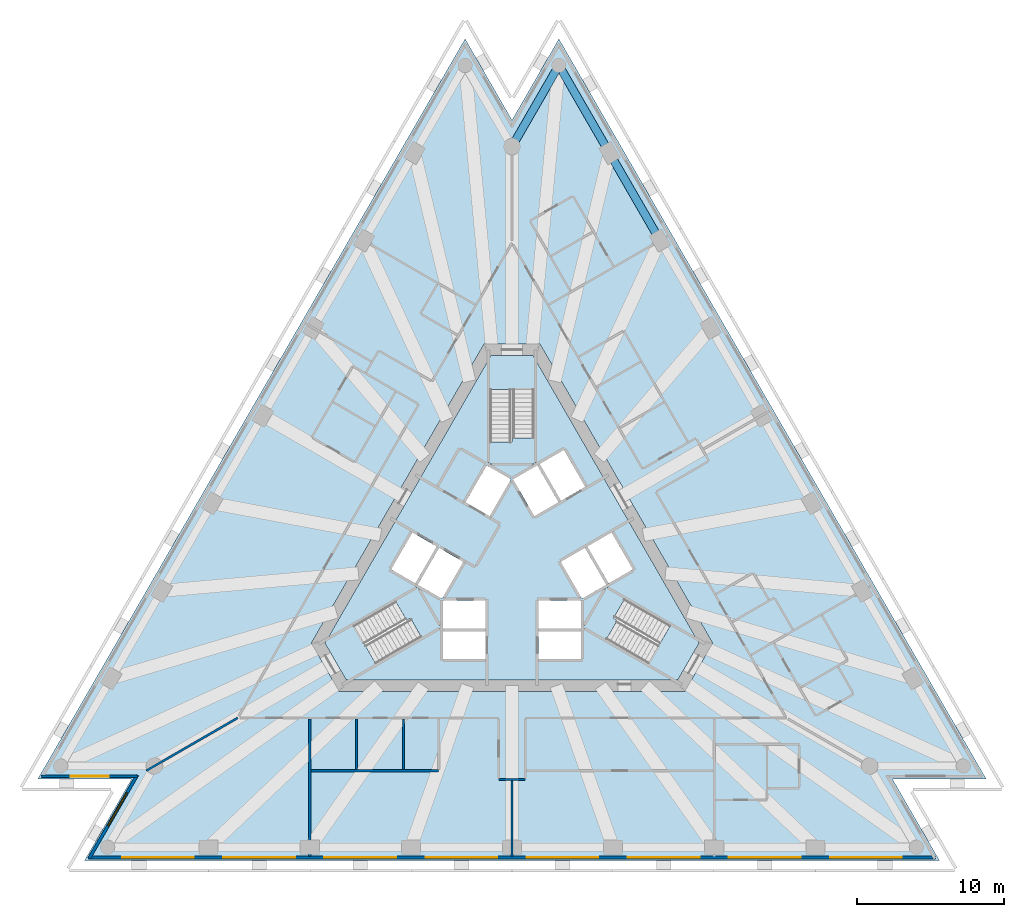
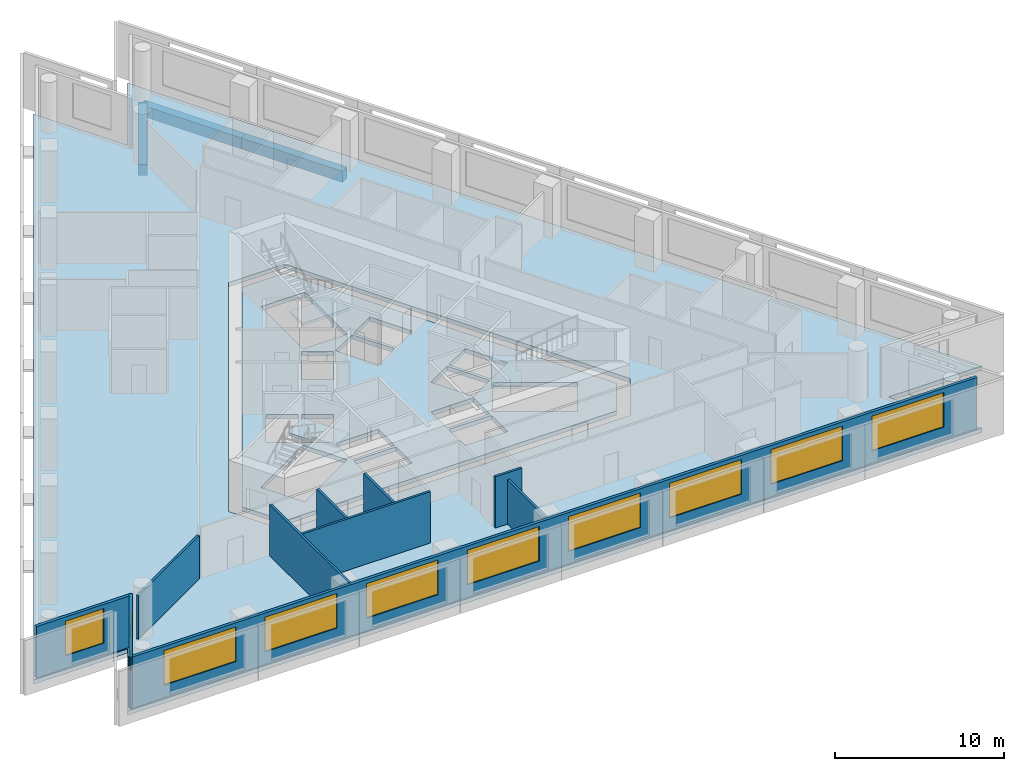
# One storey, part 2 of 10: 10 walls, 10 windows, 5 slabs, 3 beams, 10 openings, 3 elements without a shape of their own.
"""IFC4 building model written with IfcOpenShell, lengths in metres."""

from ifc_helpers import new_model, si_unit, direction, frame, frame_2d, origin, origin_2d, place, context, subcontext, project, spatial, polyline, rectangle, outline, extrude, material, layer, layer_set, layer_usage, material_profile, profile_set, type_object, element, fill, aggregate, save


model = new_model("IFC4")

# Units and contexts
model_context = context("Model", 3, precision=1e-05, world=origin(), true_north=direction((0.0, 1.0)))
body_context = subcontext(model_context, "Body", "Model", "MODEL_VIEW")
ifc_project = project(units=[si_unit("LENGTHUNIT", "METRE"), si_unit("AREAUNIT", "SQUARE_METRE"), si_unit("VOLUMEUNIT", "CUBIC_METRE"), si_unit("PLANEANGLEUNIT", "RADIAN"), si_unit("MASSUNIT", "GRAM", prefix="KILO")], contexts=[model_context])

# Site, building, storey
site_placement = place(None, origin())
site = spatial("IfcSite", under=ifc_project, at=site_placement, CompositionType="ELEMENT")
building_placement = place(site_placement, origin())
building = spatial("IfcBuilding", under=site, at=building_placement, Name="Triada Interchange Tower", CompositionType="ELEMENT")
storey_placement = place(building_placement, frame((0.0, 0.0, 124.300048828125)))
storey = spatial("IfcBuildingStorey", under=building, at=storey_placement, Name="L28", CompositionType="ELEMENT", Elevation=124.300048828125)

# Beams
ifc_material_1 = material(Name="Concrete C50/60", Category="concrete")
ifc_material_profile = material_profile(ifc_material_1, rectangle(XDim=0.550048828125, YDim=0.800048828125, at=origin_2d()), Name="RC 550x800")
ifc_profile_set = profile_set([ifc_material_profile], Name="Concrete C50/60")
beam_type = type_object("IfcBeamType", Name="Spandrel beam B RC 550x800", PredefinedType="BEAM", material=ifc_profile_set)
beam_1_placement = place(storey_placement, frame((10.096923828125, 21.760009765625, -0.699951171875), z_axis=(-0.500056430882, 0.865992820948, 0.0), x_axis=(-0.865992820948, -0.500056430882, 0.0)))
element("IfcBeam", 1, at=beam_1_placement, inside=storey, type_object=beam_type, Name="Spandrel beam EB27 L28", PredefinedType="BEAM", context=body_context, shape_type="SweptSolid", body=[
    extrude(rectangle(XDim=0.550048828125, YDim=0.800048828125, at=origin_2d()), origin(), (0.0, 0.0, 1.0), 6.897216796875),
])
beam_2_placement = place(storey_placement, frame((6.64794921875, 27.73291015625, -0.699951171875), z_axis=(-0.499979797689, 0.86603706728, 0.0), x_axis=(-0.86603706728, -0.499979797689, 0.0)))
element("IfcBeam", 2, at=beam_2_placement, inside=storey, type_object=beam_type, Name="Spandrel beam EB28 L28", PredefinedType="BEAM", context=body_context, shape_type="SweptSolid", body=[
    extrude(rectangle(XDim=0.550048828125, YDim=0.800048828125, at=origin_2d()), origin(), (0.0, 0.0, 1.0), 6.898193359375),
])
beam_3_placement = place(storey_placement, frame((3.198974609375, 33.70703125, -0.699951171875), z_axis=(-0.49991841402, -0.866072502348, 0.0), x_axis=(0.866072502348, -0.49991841402, 0.0)))
element("IfcBeam", 3, at=beam_3_placement, inside=storey, type_object=beam_type, Name="Spandrel beam EB29 L28", PredefinedType="BEAM", context=body_context, shape_type="SweptSolid", body=[
    extrude(rectangle(XDim=0.550048828125, YDim=0.800048828125, at=origin_2d()), origin(), (0.0, 0.0, 1.0), 6.39892578125),
])

# Slabs
ifc_layer_1 = layer(ifc_material_1, 0.300048828125)
ifc_layer_set_1 = layer_set([ifc_layer_1], Name="Floor slab 300")
slab_type_1 = type_object("IfcSlabType", Name="Floor slab 300", PredefinedType="FLOOR", material=ifc_layer_set_1)
slab_1_placement = place(storey_placement, frame((0.0, 0.0, -0.300048828125)))
element("IfcSlab", 4, at=slab_1_placement, inside=storey, type_object=slab_type_1, Name="Floor slab L28", PredefinedType="FLOOR", context=body_context, shape_type="SweptSolid", body=[
    extrude(outline(polyline([(-3.198974609375, 35.507080078125), (-32.34912109375, -14.98291015625), (-25.949951171875, -14.98291015625), (-29.14990234375, -20.52392578125), (29.14990234375, -20.52392578125), (25.949951171875, -14.98291015625), (32.34912109375, -14.98291015625), (3.198974609375, 35.507080078125), (0.0, 29.965087890625), (-3.198974609375, 35.507080078125)]), holes=[polyline([(1.905029296875, 14.699951171875), (-1.905029296875, 14.699951171875), (-13.68310546875, -5.699951171875), (-11.778076171875, -9.0), (11.778076171875, -9.0), (13.68310546875, -5.699951171875), (1.905029296875, 14.699951171875)])]), origin(), (0.0, 0.0, 1.0), 0.300048828125),
])
slab_2_placement = place(storey_placement, frame((0.0, 0.0, -0.300048828125)))
element("IfcSlab", 5, at=slab_2_placement, inside=storey, type_object=slab_type_1, Name="Core floor slab L28 1", PredefinedType="FLOOR", context=body_context, shape_type="SweptSolid", body=[
    extrude(outline(polyline([(12.759033203125, -5.699951171875), (11.31591796875, -8.199951171875), (-11.31591796875, -8.199951171875), (-12.759033203125, -5.699951171875), (-1.443115234375, 13.89990234375), (1.443115234375, 13.89990234375), (12.759033203125, -5.699951171875)]), holes=[polyline([(9.2958984375, -7.09912109375), (10.7958984375, -4.5009765625), (6.466064453125, -2.0009765625), (4.966064453125, -4.59912109375), (9.2958984375, -7.09912109375)]), polyline([(6.7890625, 1.841064453125), (5.14404296875, 0.89111328125), (6.593994140625, -1.6201171875), (8.239013671875, -0.669921875), (6.7890625, 1.841064453125)]), polyline([(4.77490234375, -2.669921875), (6.419921875, -1.719970703125), (4.969970703125, 0.791015625), (3.9150390625, 0.181884765625), (3.324951171875, -0.158935546875), (4.77490234375, -2.669921875)]), polyline([(1.89404296875, 6.52001953125), (3.343994140625, 4.009033203125), (4.989013671875, 4.958984375), (3.5390625, 7.469970703125), (1.89404296875, 6.52001953125)]), polyline([(4.699951171875, -6.800048828125), (4.699951171875, -4.89990234375), (1.800048828125, -4.89990234375), (1.800048828125, -6.800048828125), (4.699951171875, -6.800048828125)]), polyline([(4.699951171875, -2.800048828125), (1.800048828125, -2.800048828125), (1.800048828125, -4.699951171875), (4.699951171875, -4.699951171875), (4.699951171875, -2.800048828125)]), polyline([(0.074951171875, 5.469970703125), (1.52490234375, 2.958984375), (3.169921875, 3.908935546875), (1.719970703125, 6.419921875), (0.074951171875, 5.469970703125)]), polyline([(1.5, 11.60009765625), (-1.5, 11.60009765625), (-1.5, 6.60009765625), (1.5, 6.60009765625), (1.5, 11.60009765625)]), polyline([(-1.52490234375, 2.958984375), (-0.074951171875, 5.469970703125), (-1.719970703125, 6.419921875), (-3.169921875, 3.908935546875), (-1.52490234375, 2.958984375)]), polyline([(-1.800048828125, -2.800048828125), (-4.699951171875, -2.800048828125), (-4.699951171875, -4.699951171875), (-1.800048828125, -4.699951171875), (-1.800048828125, -2.800048828125)]), polyline([(-4.699951171875, -6.800048828125), (-1.800048828125, -6.800048828125), (-1.800048828125, -4.89990234375), (-4.699951171875, -4.89990234375), (-4.699951171875, -6.800048828125)]), polyline([(-4.77490234375, -2.669921875), (-3.324951171875, -0.158935546875), (-4.969970703125, 0.791015625), (-6.419921875, -1.719970703125), (-4.77490234375, -2.669921875)]), polyline([(-10.7958984375, -4.5009765625), (-9.2958984375, -7.09912109375), (-4.966064453125, -4.59912109375), (-6.466064453125, -2.0009765625), (-10.7958984375, -4.5009765625)]), polyline([(-6.593994140625, -1.6201171875), (-5.14404296875, 0.89111328125), (-6.7890625, 1.841064453125), (-8.239013671875, -0.669921875), (-6.593994140625, -1.6201171875)])]), origin(), (0.0, 0.0, 1.0), 0.300048828125),
])

# Stair, slab
ifc_material_2 = material(Name="Concrete C35/45", Category="concrete")
stair_type = type_object("IfcStairType", Name="HALF TURN STAIR 1400", PredefinedType="HALF_TURN_STAIR", material=ifc_material_2)
stair_1_placement = place(storey_placement, origin())
stair_1 = element("IfcStair", 6, at=stair_1_placement, inside=storey, type_object=stair_type, Name="Exit stair S26-1", PredefinedType="HALF_TURN_STAIR")
ifc_layer_2 = layer(ifc_material_2, 0.199951171875)
ifc_layer_set_2 = layer_set([ifc_layer_2], Name="STAIR LANDING 200")
slab_type_2 = type_object("IfcSlabType", Name="STAIR LANDING 200", PredefinedType="LANDING", material=ifc_layer_set_2)
slab_3_placement = place(storey_placement, frame((0.0, 0.0, 1.719970703125)))
slab_3 = element("IfcSlab", 7, at=slab_3_placement, type_object=slab_type_2, Name="S26-1 landing 1", PredefinedType="LANDING", context=body_context, shape_type="SweptSolid", body=[
    extrude(outline(polyline([(1.60009765625, 6.5), (1.60009765625, 8.300048828125), (0.0, 8.300048828125), (0.0, 8.0), (-1.60009765625, 8.0), (-1.60009765625, 6.5), (1.60009765625, 6.5)])), origin(), (0.0, 0.0, 1.0), 0.199951171875),
])
aggregate(stair_1, [slab_3])

stair_2_placement = place(storey_placement, origin())
stair_2 = element("IfcStair", 8, at=stair_2_placement, inside=storey, type_object=stair_type, Name="Exit stair S26-2", PredefinedType="HALF_TURN_STAIR")
slab_4_placement = place(storey_placement, frame((0.0, 0.0, 1.719970703125)))
slab_4 = element("IfcSlab", 9, at=slab_4_placement, type_object=slab_type_2, Name="S26-2 landing 1", PredefinedType="LANDING", context=body_context, shape_type="SweptSolid", body=[
    extrude(outline(polyline([(-6.428955078125, -1.864013671875), (-7.988037109375, -2.763916015625), (-7.18798828125, -4.14990234375), (-6.927978515625, -4.0), (-6.1279296875, -5.385986328125), (-4.8291015625, -4.635986328125), (-6.428955078125, -1.864013671875)])), origin(), (0.0, 0.0, 1.0), 0.199951171875),
])
aggregate(stair_2, [slab_4])

stair_3_placement = place(storey_placement, origin())
stair_3 = element("IfcStair", 10, at=stair_3_placement, inside=storey, type_object=stair_type, Name="Exit stair S26-3", PredefinedType="HALF_TURN_STAIR")
slab_5_placement = place(storey_placement, frame((0.0, 0.0, 1.719970703125)))
slab_5 = element("IfcSlab", 11, at=slab_5_placement, type_object=slab_type_2, Name="S26-3 landing 1", PredefinedType="LANDING", context=body_context, shape_type="SweptSolid", body=[
    extrude(outline(polyline([(4.8291015625, -4.635986328125), (6.387939453125, -5.535888671875), (7.18798828125, -4.14990234375), (6.927978515625, -4.0), (7.72802734375, -2.614013671875), (6.428955078125, -1.864013671875), (4.8291015625, -4.635986328125)])), origin(), (0.0, 0.0, 1.0), 0.199951171875),
])
aggregate(stair_3, [slab_5])

# Wall, opening, window
ifc_material_3 = material(Name="Cement board")
ifc_layer_3 = layer(ifc_material_3, 0.02001953125, Name="Cement board cladding")
ifc_material_4 = material(Name="Sheathing board")
ifc_layer_4 = layer(ifc_material_4, 0.014892578125, Name="Sheathing board")
ifc_material_5 = material(Name="Mineral wool")
ifc_layer_5 = layer(ifc_material_5, 0.14990234375, Name="Mineral wool between steel studs")
ifc_material_6 = material(Name="Gypsum board")
ifc_layer_6 = layer(ifc_material_6, 0.014892578125, Name="Plasterboard lining")
ifc_layer_set_3 = layer_set([ifc_layer_3, ifc_layer_4, ifc_layer_5, ifc_layer_6], Name="External wall 200")
ifc_layer_usage = layer_usage(ifc_layer_set_3, "AXIS2", "POSITIVE", -0.10009765625)
wall_type_1 = type_object("IfcWallType", Name="External wall 200", PredefinedType="ELEMENTEDWALL", material=ifc_layer_set_3)
wall_1_placement = place(storey_placement, frame((-32.093017578125, -14.782958984375, 0.0), z_axis=(0.0, 0.0, 1.0), x_axis=(1.0, 0.0, 0.0)))
wall_1 = element("IfcWall", 12, at=wall_1_placement, inside=storey, type_object=wall_type_1, material=ifc_layer_usage, Name="External wall L28 SW-1", PredefinedType="ELEMENTEDWALL", context=body_context, shape_type="SweptSolid", body=[
    extrude(rectangle(XDim=6.55908203125, YDim=0.199951171875, at=frame_2d((3.279541015625, 0.0))), origin(), (0.0, 0.0, 1.0), 3.699951171875),
])
opening_1_placement = place(wall_1_placement, frame((1.989990234375, 0.0, 0.89990234375)))
opening_1 = element("IfcOpeningElement", 13, at=opening_1_placement, cuts=wall_1, Name="Opening WB09", PredefinedType="OPENING", context=body_context, shape_type="SweptSolid", body=[
    extrude(rectangle(XDim=2.60009765625, YDim=2.5, at=frame_2d((1.300048828125, 1.25))), frame((0.0, 0.10986328125, 0.0), z_axis=(0.0, -1.0, 0.0), x_axis=(1.0, 0.0, 0.0)), (0.0, 0.0, 1.0), 0.219970703125),
])
ifc_material_7 = material(Name="Double glazed aluminium window", Category="aluminium")
window_type_1 = type_object("IfcWindowType", Name="Ribbon window B pocket", PartitioningType="SINGLE_PANEL", PredefinedType="WINDOW", material=ifc_material_7)
window_1_placement = place(opening_1_placement, origin())
window_1 = element("IfcWindow", 14, at=window_1_placement, inside=storey, type_object=window_type_1, Name="Window L28 SW-1 1", OverallHeight=2.5, OverallWidth=2.60009765625, PartitioningType="SINGLE_PANEL", PredefinedType="WINDOW", context=body_context, shape_type="SweptSolid", body=[
    extrude(rectangle(XDim=2.60009765625, YDim=2.5, at=frame_2d((1.300048828125, 1.25))), frame((0.0, 0.030029296875, 0.0), z_axis=(0.0, -1.0, 0.0), x_axis=(1.0, 0.0, 0.0)), (0.0, 0.0, 1.0), 0.06005859375),
])
fill(opening_1, window_1)

wall_2_placement = place(storey_placement, frame((-25.55908203125, -14.705078125, 0.0), z_axis=(0.0, 0.0, 1.0), x_axis=(-0.500082240168, -0.865977917195, 0.0)))
wall_2 = element("IfcWall", 15, at=wall_2_placement, inside=storey, type_object=wall_type_1, material=ifc_layer_usage, Name="External wall L28 SW-2", PredefinedType="ELEMENTEDWALL", context=body_context, shape_type="SweptSolid", body=[
    extrude(rectangle(XDim=6.55908203125, YDim=0.199951171875, at=frame_2d((3.279541015625, 0.0))), origin(), (0.0, 0.0, 1.0), 3.699951171875),
])
opening_2_placement = place(wall_2_placement, frame((1.389892578125, 0.0, 0.89990234375)))
opening_2 = element("IfcOpeningElement", 16, at=opening_2_placement, cuts=wall_2, Name="Opening WB10", PredefinedType="OPENING", context=body_context, shape_type="SweptSolid", body=[
    extrude(rectangle(XDim=2.60009765625, YDim=2.5, at=frame_2d((1.300048828125, 1.25))), frame((0.0, 0.10986328125, 0.0), z_axis=(0.0, -1.0, 0.0), x_axis=(1.0, 0.0, 0.0)), (0.0, 0.0, 1.0), 0.219970703125),
])
window_2_placement = place(opening_2_placement, origin())
window_2 = element("IfcWindow", 17, at=window_2_placement, inside=storey, type_object=window_type_1, Name="Window L28 SW-2 1", OverallHeight=2.5, OverallWidth=2.60009765625, PartitioningType="SINGLE_PANEL", PredefinedType="WINDOW", context=body_context, shape_type="SweptSolid", body=[
    extrude(rectangle(XDim=2.60009765625, YDim=2.5, at=frame_2d((1.300048828125, 1.25))), frame((0.0, 0.030029296875, 0.0), z_axis=(0.0, -1.0, 0.0), x_axis=(1.0, 0.0, 0.0)), (0.0, 0.0, 1.0), 0.06005859375),
])
fill(opening_2, window_2)

# Wall, openings, windows
wall_3_placement = place(storey_placement, frame((-28.89404296875, -20.323974609375, 0.0), z_axis=(0.0, 0.0, 1.0), x_axis=(1.0, 0.0, 0.0)))
wall_3 = element("IfcWall", 18, at=wall_3_placement, inside=storey, type_object=wall_type_1, material=ifc_layer_usage, Name="External wall L28 S", PredefinedType="ELEMENTEDWALL", context=body_context, shape_type="SweptSolid", body=[
    extrude(rectangle(XDim=57.76806640625, YDim=0.199951171875, at=frame_2d((28.884033203125, 0.0))), origin(), (0.0, 0.0, 1.0), 3.699951171875),
])
opening_3_placement = place(wall_3_placement, frame((2.302001953125, 0.0, 0.89990234375)))
opening_3 = element("IfcOpeningElement", 19, at=opening_3_placement, cuts=wall_3, Name="Opening WB11", PredefinedType="OPENING", context=body_context, shape_type="SweptSolid", body=[
    extrude(rectangle(XDim=4.89990234375, YDim=2.5, at=frame_2d((2.449951171875, 1.25))), frame((0.0, 0.10986328125, 0.0), z_axis=(0.0, -1.0, 0.0), x_axis=(1.0, 0.0, 0.0)), (0.0, 0.0, 1.0), 0.219970703125),
])
opening_4_placement = place(wall_3_placement, frame((9.199951171875, 0.0, 0.89990234375)))
opening_4 = element("IfcOpeningElement", 20, at=opening_4_placement, cuts=wall_3, Name="Opening WB12", PredefinedType="OPENING", context=body_context, shape_type="SweptSolid", body=[
    extrude(rectangle(XDim=4.89990234375, YDim=2.5, at=frame_2d((2.449951171875, 1.25))), frame((0.0, 0.10986328125, 0.0), z_axis=(0.0, -1.0, 0.0), x_axis=(1.0, 0.0, 0.0)), (0.0, 0.0, 1.0), 0.219970703125),
])
opening_5_placement = place(wall_3_placement, frame((16.096923828125, 0.0, 0.89990234375)))
opening_5 = element("IfcOpeningElement", 21, at=opening_5_placement, cuts=wall_3, Name="Opening WB13", PredefinedType="OPENING", context=body_context, shape_type="SweptSolid", body=[
    extrude(rectangle(XDim=4.89990234375, YDim=2.5, at=frame_2d((2.449951171875, 1.25))), frame((0.0, 0.10986328125, 0.0), z_axis=(0.0, -1.0, 0.0), x_axis=(1.0, 0.0, 0.0)), (0.0, 0.0, 1.0), 0.219970703125),
])
opening_6_placement = place(wall_3_placement, frame((22.9951171875, 0.0, 0.89990234375)))
opening_6 = element("IfcOpeningElement", 22, at=opening_6_placement, cuts=wall_3, Name="Opening WB14", PredefinedType="OPENING", context=body_context, shape_type="SweptSolid", body=[
    extrude(rectangle(XDim=4.89990234375, YDim=2.5, at=frame_2d((2.449951171875, 1.25))), frame((0.0, 0.10986328125, 0.0), z_axis=(0.0, -1.0, 0.0), x_axis=(1.0, 0.0, 0.0)), (0.0, 0.0, 1.0), 0.219970703125),
])
opening_7_placement = place(wall_3_placement, frame((29.89306640625, 0.0, 0.89990234375)))
opening_7 = element("IfcOpeningElement", 23, at=opening_7_placement, cuts=wall_3, Name="Opening WB15", PredefinedType="OPENING", context=body_context, shape_type="SweptSolid", body=[
    extrude(rectangle(XDim=4.89990234375, YDim=2.5, at=frame_2d((2.449951171875, 1.25))), frame((0.0, 0.10986328125, 0.0), z_axis=(0.0, -1.0, 0.0), x_axis=(1.0, 0.0, 0.0)), (0.0, 0.0, 1.0), 0.219970703125),
])
opening_8_placement = place(wall_3_placement, frame((36.791015625, 0.0, 0.89990234375)))
opening_8 = element("IfcOpeningElement", 24, at=opening_8_placement, cuts=wall_3, Name="Opening WB16", PredefinedType="OPENING", context=body_context, shape_type="SweptSolid", body=[
    extrude(rectangle(XDim=4.89990234375, YDim=2.5, at=frame_2d((2.449951171875, 1.25))), frame((0.0, 0.10986328125, 0.0), z_axis=(0.0, -1.0, 0.0), x_axis=(1.0, 0.0, 0.0)), (0.0, 0.0, 1.0), 0.219970703125),
])
opening_9_placement = place(wall_3_placement, frame((43.68798828125, 0.0, 0.89990234375)))
opening_9 = element("IfcOpeningElement", 25, at=opening_9_placement, cuts=wall_3, Name="Opening WB17", PredefinedType="OPENING", context=body_context, shape_type="SweptSolid", body=[
    extrude(rectangle(XDim=4.89990234375, YDim=2.5, at=frame_2d((2.449951171875, 1.25))), frame((0.0, 0.10986328125, 0.0), z_axis=(0.0, -1.0, 0.0), x_axis=(1.0, 0.0, 0.0)), (0.0, 0.0, 1.0), 0.219970703125),
])
opening_10_placement = place(wall_3_placement, frame((50.5859375, 0.0, 0.89990234375)))
opening_10 = element("IfcOpeningElement", 26, at=opening_10_placement, cuts=wall_3, Name="Opening WB18", PredefinedType="OPENING", context=body_context, shape_type="SweptSolid", body=[
    extrude(rectangle(XDim=4.89990234375, YDim=2.5, at=frame_2d((2.449951171875, 1.25))), frame((0.0, 0.10986328125, 0.0), z_axis=(0.0, -1.0, 0.0), x_axis=(1.0, 0.0, 0.0)), (0.0, 0.0, 1.0), 0.219970703125),
])
window_type_2 = type_object("IfcWindowType", Name="Ribbon window B face", PartitioningType="SINGLE_PANEL", PredefinedType="WINDOW", material=ifc_material_7)
window_3_placement = place(opening_3_placement, origin())
window_3 = element("IfcWindow", 27, at=window_3_placement, inside=storey, type_object=window_type_2, Name="Window L28 S 1", OverallHeight=2.5, OverallWidth=4.89990234375, PartitioningType="SINGLE_PANEL", PredefinedType="WINDOW", context=body_context, shape_type="SweptSolid", body=[
    extrude(rectangle(XDim=4.89990234375, YDim=2.5, at=frame_2d((2.449951171875, 1.25))), frame((0.0, 0.030029296875, 0.0), z_axis=(0.0, -1.0, 0.0), x_axis=(1.0, 0.0, 0.0)), (0.0, 0.0, 1.0), 0.06005859375),
])
fill(opening_3, window_3)
window_4_placement = place(opening_4_placement, origin())
window_4 = element("IfcWindow", 28, at=window_4_placement, inside=storey, type_object=window_type_2, Name="Window L28 S 2", OverallHeight=2.5, OverallWidth=4.89990234375, PartitioningType="SINGLE_PANEL", PredefinedType="WINDOW", context=body_context, shape_type="SweptSolid", body=[
    extrude(rectangle(XDim=4.89990234375, YDim=2.5, at=frame_2d((2.449951171875, 1.25))), frame((0.0, 0.030029296875, 0.0), z_axis=(0.0, -1.0, 0.0), x_axis=(1.0, 0.0, 0.0)), (0.0, 0.0, 1.0), 0.06005859375),
])
fill(opening_4, window_4)
window_5_placement = place(opening_5_placement, origin())
window_5 = element("IfcWindow", 29, at=window_5_placement, inside=storey, type_object=window_type_2, Name="Window L28 S 3", OverallHeight=2.5, OverallWidth=4.89990234375, PartitioningType="SINGLE_PANEL", PredefinedType="WINDOW", context=body_context, shape_type="SweptSolid", body=[
    extrude(rectangle(XDim=4.89990234375, YDim=2.5, at=frame_2d((2.449951171875, 1.25))), frame((0.0, 0.030029296875, 0.0), z_axis=(0.0, -1.0, 0.0), x_axis=(1.0, 0.0, 0.0)), (0.0, 0.0, 1.0), 0.06005859375),
])
fill(opening_5, window_5)
window_6_placement = place(opening_6_placement, origin())
window_6 = element("IfcWindow", 30, at=window_6_placement, inside=storey, type_object=window_type_2, Name="Window L28 S 4", OverallHeight=2.5, OverallWidth=4.89990234375, PartitioningType="SINGLE_PANEL", PredefinedType="WINDOW", context=body_context, shape_type="SweptSolid", body=[
    extrude(rectangle(XDim=4.89990234375, YDim=2.5, at=frame_2d((2.449951171875, 1.25))), frame((0.0, 0.030029296875, 0.0), z_axis=(0.0, -1.0, 0.0), x_axis=(1.0, 0.0, 0.0)), (0.0, 0.0, 1.0), 0.06005859375),
])
fill(opening_6, window_6)
window_7_placement = place(opening_7_placement, origin())
window_7 = element("IfcWindow", 31, at=window_7_placement, inside=storey, type_object=window_type_2, Name="Window L28 S 5", OverallHeight=2.5, OverallWidth=4.89990234375, PartitioningType="SINGLE_PANEL", PredefinedType="WINDOW", context=body_context, shape_type="SweptSolid", body=[
    extrude(rectangle(XDim=4.89990234375, YDim=2.5, at=frame_2d((2.449951171875, 1.25))), frame((0.0, 0.030029296875, 0.0), z_axis=(0.0, -1.0, 0.0), x_axis=(1.0, 0.0, 0.0)), (0.0, 0.0, 1.0), 0.06005859375),
])
fill(opening_7, window_7)
window_8_placement = place(opening_8_placement, origin())
window_8 = element("IfcWindow", 32, at=window_8_placement, inside=storey, type_object=window_type_2, Name="Window L28 S 6", OverallHeight=2.5, OverallWidth=4.89990234375, PartitioningType="SINGLE_PANEL", PredefinedType="WINDOW", context=body_context, shape_type="SweptSolid", body=[
    extrude(rectangle(XDim=4.89990234375, YDim=2.5, at=frame_2d((2.449951171875, 1.25))), frame((0.0, 0.030029296875, 0.0), z_axis=(0.0, -1.0, 0.0), x_axis=(1.0, 0.0, 0.0)), (0.0, 0.0, 1.0), 0.06005859375),
])
fill(opening_8, window_8)
window_9_placement = place(opening_9_placement, origin())
window_9 = element("IfcWindow", 33, at=window_9_placement, inside=storey, type_object=window_type_2, Name="Window L28 S 7", OverallHeight=2.5, OverallWidth=4.89990234375, PartitioningType="SINGLE_PANEL", PredefinedType="WINDOW", context=body_context, shape_type="SweptSolid", body=[
    extrude(rectangle(XDim=4.89990234375, YDim=2.5, at=frame_2d((2.449951171875, 1.25))), frame((0.0, 0.030029296875, 0.0), z_axis=(0.0, -1.0, 0.0), x_axis=(1.0, 0.0, 0.0)), (0.0, 0.0, 1.0), 0.06005859375),
])
fill(opening_9, window_9)
window_10_placement = place(opening_10_placement, origin())
window_10 = element("IfcWindow", 34, at=window_10_placement, inside=storey, type_object=window_type_2, Name="Window L28 S 8", OverallHeight=2.5, OverallWidth=4.89990234375, PartitioningType="SINGLE_PANEL", PredefinedType="WINDOW", context=body_context, shape_type="SweptSolid", body=[
    extrude(rectangle(XDim=4.89990234375, YDim=2.5, at=frame_2d((2.449951171875, 1.25))), frame((0.0, 0.030029296875, 0.0), z_axis=(0.0, -1.0, 0.0), x_axis=(1.0, 0.0, 0.0)), (0.0, 0.0, 1.0), 0.06005859375),
])
fill(opening_10, window_10)

# Walls
ifc_material_8 = material(Name="Gypsum board partition")
ifc_layer_7 = layer(ifc_material_8, 0.14990234375)
ifc_layer_set_4 = layer_set([ifc_layer_7], Name="PARTITION 150 EI 180")
wall_type_2 = type_object("IfcWallType", Name="PARTITION 150 EI 180", PredefinedType="PARTITIONING", material=ifc_layer_set_4)
wall_4_placement = place(storey_placement, frame((-24.927978515625, -14.39306640625, 0.0), z_axis=(0.0, 0.0, 1.0), x_axis=(0.866011883308, 0.500023417421, 0.0)))
element("IfcWall", 35, at=wall_4_placement, inside=storey, type_object=wall_type_2, Name="Wall L26 1", PredefinedType="PARTITIONING", context=body_context, shape_type="SweptSolid", body=[
    extrude(rectangle(XDim=7.185791015625, YDim=0.14990234375, at=frame_2d((3.5927734375, 0.0))), origin(), (0.0, 0.0, 1.0), 3.14990234375),
])
wall_5_placement = place(storey_placement, frame((-13.7958984375, -20.243896484375, 0.0), z_axis=(0.0, 0.0, 1.0), x_axis=(0.0, 1.0, 0.0)))
element("IfcWall", 36, at=wall_5_placement, inside=storey, type_object=wall_type_2, Name="Wall L26 10", PredefinedType="PARTITIONING", context=body_context, shape_type="SweptSolid", body=[
    extrude(rectangle(XDim=9.368896484375, YDim=0.14990234375, at=frame_2d((4.6845703125, 0.0))), origin(), (0.0, 0.0, 1.0), 3.699951171875),
])
wall_6_placement = place(storey_placement, frame((-13.720947265625, -14.39990234375, 0.0), z_axis=(0.0, 0.0, 1.0), x_axis=(1.0, 0.0, 0.0)))
element("IfcWall", 37, at=wall_6_placement, inside=storey, type_object=wall_type_2, Name="Wall L26 11", PredefinedType="PARTITIONING", context=body_context, shape_type="SweptSolid", body=[
    extrude(rectangle(XDim=8.724853515625, YDim=0.14990234375, at=frame_2d((4.3623046875, 0.0))), origin(), (0.0, 0.0, 1.0), 3.699951171875),
])
for number, where, z_axis, x_axis, name in (
    (38, (-10.595947265625, -14.324951171875, 0.0), (0.0, 0.0, 1.0), (0.0, 1.0, 0.0), "Wall L26 13"),
    (39, (-7.39599609375, -14.324951171875, 0.0), (0.0, 0.0, 1.0), (0.0, 1.0, 0.0), "Wall L26 16"),
):
    element("IfcWall", number, at=place(storey_placement, frame(where, z_axis=z_axis, x_axis=x_axis)), inside=storey, type_object=wall_type_2, Name=name, PredefinedType="PARTITIONING", context=body_context, shape_type="SweptSolid", body=[
        extrude(rectangle(XDim=3.449951171875, YDim=0.14990234375, at=frame_2d((1.72509765625, 0.0))), origin(), (0.0, 0.0, 1.0), 3.699951171875),
    ])
wall_7_placement = place(storey_placement, frame((-0.89990234375, -15.0, 0.0), z_axis=(0.0, 0.0, 1.0), x_axis=(1.0, 0.0, 0.0)))
element("IfcWall", 40, at=wall_7_placement, inside=storey, type_object=wall_type_2, Name="Wall L26 19", PredefinedType="PARTITIONING", context=body_context, shape_type="SweptSolid", body=[
    extrude(rectangle(XDim=1.7998046875, YDim=0.14990234375, at=frame_2d((0.89990234375, 0.0))), origin(), (0.0, 0.0, 1.0), 3.699951171875),
])
wall_8_placement = place(storey_placement, frame((0.0, -20.243896484375, 0.0), z_axis=(0.0, 0.0, 1.0), x_axis=(0.0, 1.0, 0.0)))
element("IfcWall", 41, at=wall_8_placement, inside=storey, type_object=wall_type_2, Name="Wall L26 21", PredefinedType="PARTITIONING", context=body_context, shape_type="SweptSolid", body=[
    extrude(rectangle(XDim=5.1689453125, YDim=0.14990234375, at=frame_2d((2.58447265625, 0.0))), origin(), (0.0, 0.0, 1.0), 3.199951171875),
])

save(model, "model.ifc")
